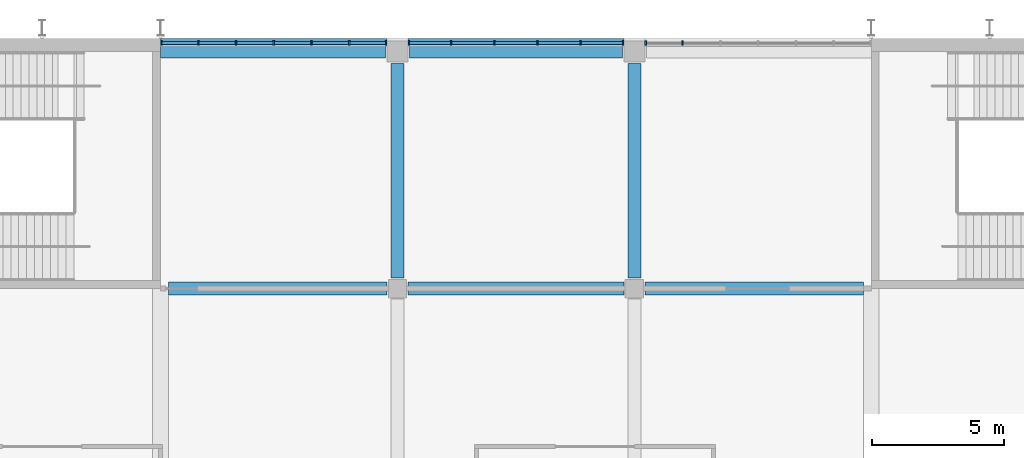
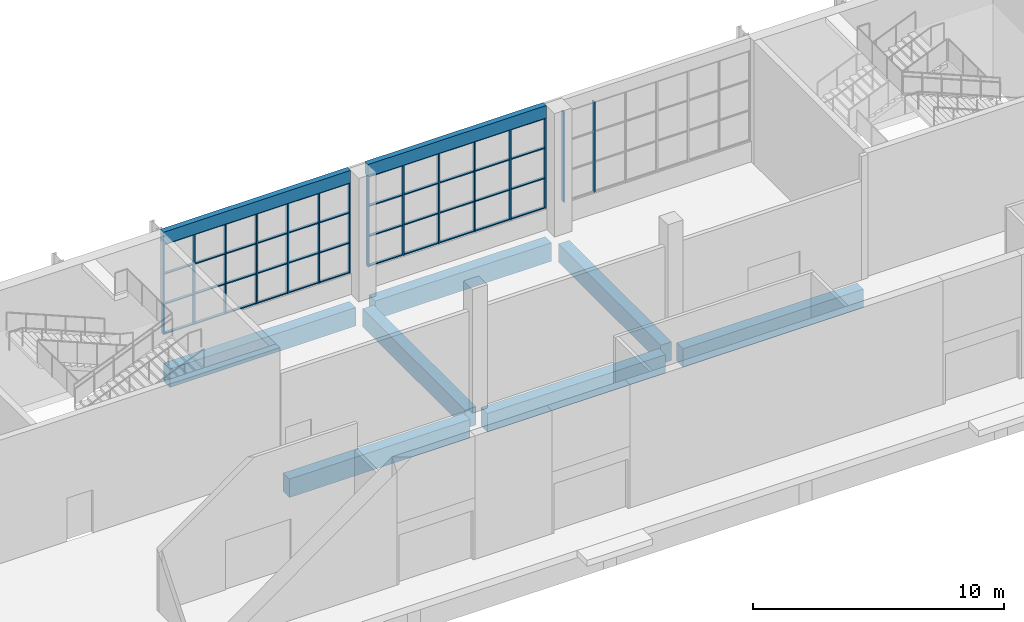
# One storey, part 25 of 89: 59 members, 9 beams, 3 elements without a shape of their own.
"""IFC4 building model written with IfcOpenShell, lengths in metres."""

from ifc_helpers import new_model, si_unit, direction, frame, origin, origin_2d, place, context, subcontext, project, spatial, rectangle, extrude, material, material_profile, profile_set, type_object, element, aggregate, save


model = new_model("IFC4")

# Units and contexts
model_context = context("Model", 3, precision=1e-05, world=origin(), true_north=direction((0.0, 1.0)))
body_context = subcontext(model_context, "Body", "Model", "MODEL_VIEW")
ifc_project = project(units=[si_unit("LENGTHUNIT", "METRE"), si_unit("AREAUNIT", "SQUARE_METRE"), si_unit("VOLUMEUNIT", "CUBIC_METRE"), si_unit("PLANEANGLEUNIT", "RADIAN"), si_unit("MASSUNIT", "GRAM", prefix="KILO")], contexts=[model_context])

# Site, building, storey
site_placement = place(None, origin())
site = spatial("IfcSite", under=ifc_project, at=site_placement, CompositionType="ELEMENT")
building_placement = place(site_placement, origin())
building = spatial("IfcBuilding", under=site, at=building_placement, Name="Silverbay Arena", CompositionType="ELEMENT")
storey_placement = place(building_placement, frame((0.0, 0.0, 22.0)))
storey = spatial("IfcBuildingStorey", under=building, at=storey_placement, Name="L03", CompositionType="ELEMENT", Elevation=22.0)

# Curtain wall, members
ifc_material_1 = material(Name="Aluminium framed curtain wall", Category="aluminium")
curtain_wall_type_1 = type_object("IfcCurtainWallType", Name="Curtain wall 8600 x 4400", PredefinedType="NOTDEFINED", material=ifc_material_1)
curtain_wall_1_placement = place(storey_placement, origin())
curtain_wall_1 = element("IfcCurtainWall", 1, at=curtain_wall_1_placement, inside=storey, type_object=curtain_wall_type_1, Name="North curtain wall L03 bay 8", PredefinedType="NOTDEFINED")
ifc_material_2 = material(Name="Aluminium", Category="aluminium")
ifc_material_profile_1 = material_profile(ifc_material_2, rectangle(XDim=0.159912109375, YDim=0.06005859375, at=origin_2d()), Name="Mullion 60 x 160")
ifc_profile_set_1 = profile_set([ifc_material_profile_1], Name="Aluminium")
member_type_1 = type_object("IfcMemberType", Name="Mullion 60 x 160", PredefinedType="MULLION", material=ifc_profile_set_1)
member_1_placement = place(storey_placement, frame((125.570068359375, 144.330078125, 1.0), z_axis=(0.0, 0.0, 1.0), x_axis=(0.0, -1.0, 0.0)))
member_1 = element("IfcMember", 2, at=member_1_placement, type_object=member_type_1, Name="CW12 mullion 1", PredefinedType="MULLION", context=body_context, shape_type="SweptSolid", body=[
    extrude(rectangle(XDim=0.159912109375, YDim=0.06005859375, at=origin_2d()), origin(), (0.0, 0.0, 1.0), 4.39990234375),
])
member_2_placement = place(storey_placement, frame((124.166748046875, 144.330078125, 1.0), z_axis=(0.0, 0.0, 1.0), x_axis=(0.0, -1.0, 0.0)))
member_2 = element("IfcMember", 3, at=member_2_placement, type_object=member_type_1, Name="CW12 mullion 2", PredefinedType="MULLION", context=body_context, shape_type="SweptSolid", body=[
    extrude(rectangle(XDim=0.159912109375, YDim=0.06005859375, at=origin_2d()), origin(), (0.0, 0.0, 1.0), 4.39990234375),
])
member_3_placement = place(storey_placement, frame((122.7333984375, 144.330078125, 1.0), z_axis=(0.0, 0.0, 1.0), x_axis=(0.0, -1.0, 0.0)))
member_3 = element("IfcMember", 4, at=member_3_placement, type_object=member_type_1, Name="CW12 mullion 3", PredefinedType="MULLION", context=body_context, shape_type="SweptSolid", body=[
    extrude(rectangle(XDim=0.159912109375, YDim=0.06005859375, at=origin_2d()), origin(), (0.0, 0.0, 1.0), 4.39990234375),
])
member_4_placement = place(storey_placement, frame((121.300048828125, 144.330078125, 1.0), z_axis=(0.0, 0.0, 1.0), x_axis=(0.0, -1.0, 0.0)))
member_4 = element("IfcMember", 5, at=member_4_placement, type_object=member_type_1, Name="CW12 mullion 4", PredefinedType="MULLION", context=body_context, shape_type="SweptSolid", body=[
    extrude(rectangle(XDim=0.159912109375, YDim=0.06005859375, at=origin_2d()), origin(), (0.0, 0.0, 1.0), 4.39990234375),
])
member_5_placement = place(storey_placement, frame((119.86669921875, 144.330078125, 1.0), z_axis=(0.0, 0.0, 1.0), x_axis=(0.0, -1.0, 0.0)))
member_5 = element("IfcMember", 6, at=member_5_placement, type_object=member_type_1, Name="CW12 mullion 5", PredefinedType="MULLION", context=body_context, shape_type="SweptSolid", body=[
    extrude(rectangle(XDim=0.159912109375, YDim=0.06005859375, at=origin_2d()), origin(), (0.0, 0.0, 1.0), 4.39990234375),
])
member_6_placement = place(storey_placement, frame((118.433349609375, 144.330078125, 1.0), z_axis=(0.0, 0.0, 1.0), x_axis=(0.0, -1.0, 0.0)))
member_6 = element("IfcMember", 7, at=member_6_placement, type_object=member_type_1, Name="CW12 mullion 6", PredefinedType="MULLION", context=body_context, shape_type="SweptSolid", body=[
    extrude(rectangle(XDim=0.159912109375, YDim=0.06005859375, at=origin_2d()), origin(), (0.0, 0.0, 1.0), 4.39990234375),
])
member_7_placement = place(storey_placement, frame((117.030029296875, 144.330078125, 1.0), z_axis=(0.0, 0.0, 1.0), x_axis=(0.0, -1.0, 0.0)))
member_7 = element("IfcMember", 8, at=member_7_placement, type_object=member_type_1, Name="CW12 mullion 7", PredefinedType="MULLION", context=body_context, shape_type="SweptSolid", body=[
    extrude(rectangle(XDim=0.159912109375, YDim=0.06005859375, at=origin_2d()), origin(), (0.0, 0.0, 1.0), 4.39990234375),
])

ifc_material_3 = material(Name="Aluminium framed curtain wall", Category="aluminium")
curtain_wall_type_2 = type_object("IfcCurtainWallType", Name="Curtain wall 8200 x 4400", PredefinedType="NOTDEFINED", material=ifc_material_3)
curtain_wall_2_placement = place(storey_placement, origin())
curtain_wall_2 = element("IfcCurtainWall", 9, at=curtain_wall_2_placement, inside=storey, type_object=curtain_wall_type_2, Name="North curtain wall L03 bay 9", PredefinedType="NOTDEFINED")
member_8_placement = place(storey_placement, frame((134.570068359375, 144.330078125, 1.0), z_axis=(0.0, 0.0, 1.0), x_axis=(0.0, -1.0, 0.0)))
member_8 = element("IfcMember", 10, at=member_8_placement, type_object=member_type_1, Name="CW13 mullion 1", PredefinedType="MULLION", context=body_context, shape_type="SweptSolid", body=[
    extrude(rectangle(XDim=0.159912109375, YDim=0.06005859375, at=origin_2d()), origin(), (0.0, 0.0, 1.0), 4.39990234375),
])
member_9_placement = place(storey_placement, frame((132.9599609375, 144.330078125, 1.0), z_axis=(0.0, 0.0, 1.0), x_axis=(0.0, -1.0, 0.0)))
member_9 = element("IfcMember", 11, at=member_9_placement, type_object=member_type_1, Name="CW13 mullion 2", PredefinedType="MULLION", context=body_context, shape_type="SweptSolid", body=[
    extrude(rectangle(XDim=0.159912109375, YDim=0.06005859375, at=origin_2d()), origin(), (0.0, 0.0, 1.0), 4.39990234375),
])
member_10_placement = place(storey_placement, frame((131.320068359375, 144.330078125, 1.0), z_axis=(0.0, 0.0, 1.0), x_axis=(0.0, -1.0, 0.0)))
member_10 = element("IfcMember", 12, at=member_10_placement, type_object=member_type_1, Name="CW13 mullion 3", PredefinedType="MULLION", context=body_context, shape_type="SweptSolid", body=[
    extrude(rectangle(XDim=0.159912109375, YDim=0.06005859375, at=origin_2d()), origin(), (0.0, 0.0, 1.0), 4.39990234375),
])
member_11_placement = place(storey_placement, frame((129.679931640625, 144.330078125, 1.0), z_axis=(0.0, 0.0, 1.0), x_axis=(0.0, -1.0, 0.0)))
member_11 = element("IfcMember", 13, at=member_11_placement, type_object=member_type_1, Name="CW13 mullion 4", PredefinedType="MULLION", context=body_context, shape_type="SweptSolid", body=[
    extrude(rectangle(XDim=0.159912109375, YDim=0.06005859375, at=origin_2d()), origin(), (0.0, 0.0, 1.0), 4.39990234375),
])
member_12_placement = place(storey_placement, frame((128.0400390625, 144.330078125, 1.0), z_axis=(0.0, 0.0, 1.0), x_axis=(0.0, -1.0, 0.0)))
member_12 = element("IfcMember", 14, at=member_12_placement, type_object=member_type_1, Name="CW13 mullion 5", PredefinedType="MULLION", context=body_context, shape_type="SweptSolid", body=[
    extrude(rectangle(XDim=0.159912109375, YDim=0.06005859375, at=origin_2d()), origin(), (0.0, 0.0, 1.0), 4.39990234375),
])
member_13_placement = place(storey_placement, frame((126.429931640625, 144.330078125, 1.0), z_axis=(0.0, 0.0, 1.0), x_axis=(0.0, -1.0, 0.0)))
member_13 = element("IfcMember", 15, at=member_13_placement, type_object=member_type_1, Name="CW13 mullion 6", PredefinedType="MULLION", context=body_context, shape_type="SweptSolid", body=[
    extrude(rectangle(XDim=0.159912109375, YDim=0.06005859375, at=origin_2d()), origin(), (0.0, 0.0, 1.0), 4.39990234375),
])

curtain_wall_3_placement = place(storey_placement, origin())
curtain_wall_3 = element("IfcCurtainWall", 16, at=curtain_wall_3_placement, inside=storey, type_object=curtain_wall_type_1, Name="North curtain wall L03 bay 10", PredefinedType="NOTDEFINED")
member_14_placement = place(storey_placement, frame((136.833251953125, 144.330078125, 1.0), z_axis=(0.0, 0.0, 1.0), x_axis=(0.0, -1.0, 0.0)))
member_14 = element("IfcMember", 17, at=member_14_placement, type_object=member_type_1, Name="CW12 mullion 6", PredefinedType="MULLION", context=body_context, shape_type="SweptSolid", body=[
    extrude(rectangle(XDim=0.159912109375, YDim=0.06005859375, at=origin_2d()), origin(), (0.0, 0.0, 1.0), 4.39990234375),
])
member_15_placement = place(storey_placement, frame((135.429931640625, 144.330078125, 1.0), z_axis=(0.0, 0.0, 1.0), x_axis=(0.0, -1.0, 0.0)))
member_15 = element("IfcMember", 18, at=member_15_placement, type_object=member_type_1, Name="CW12 mullion 7", PredefinedType="MULLION", context=body_context, shape_type="SweptSolid", body=[
    extrude(rectangle(XDim=0.159912109375, YDim=0.06005859375, at=origin_2d()), origin(), (0.0, 0.0, 1.0), 4.39990234375),
])
aggregate(curtain_wall_3, [member_14, member_15])

# Beams
ifc_material_4 = material(Name="Concrete Grade C45", Category="concrete")
ifc_material_profile_2 = material_profile(ifc_material_4, rectangle(XDim=0.5, YDim=0.89990234375, at=origin_2d()), Name="RC 500x900")
ifc_profile_set_2 = profile_set([ifc_material_profile_2], Name="Concrete Grade C45")
beam_type_1 = type_object("IfcBeamType", Name="RC beam 500x900", PredefinedType="BEAM", material=ifc_profile_set_2)
beam_1_placement = place(storey_placement, frame((117.300048828125, 135.0, -0.800048828125), z_axis=(1.0, 0.0, 0.0), x_axis=(0.0, 1.0, 0.0)))
element("IfcBeam", 19, at=beam_1_placement, inside=storey, type_object=beam_type_1, Name="Floor beam L03 074", PredefinedType="BEAM", context=body_context, shape_type="SweptSolid", body=[
    extrude(rectangle(XDim=0.5, YDim=0.89990234375, at=origin_2d()), origin(), (0.0, 0.0, 1.0), 8.300048828125),
])
beam_2_placement = place(storey_placement, frame((126.39990234375, 135.0, -0.800048828125), z_axis=(1.0, 0.0, 0.0), x_axis=(0.0, 1.0, 0.0)))
element("IfcBeam", 20, at=beam_2_placement, inside=storey, type_object=beam_type_1, Name="Floor beam L03 075", PredefinedType="BEAM", context=body_context, shape_type="SweptSolid", body=[
    extrude(rectangle(XDim=0.5, YDim=0.89990234375, at=origin_2d()), origin(), (0.0, 0.0, 1.0), 8.2001953125),
])
beam_3_placement = place(storey_placement, frame((135.39990234375, 135.0, -0.800048828125), z_axis=(1.0, 0.0, 0.0), x_axis=(0.0, 1.0, 0.0)))
element("IfcBeam", 21, at=beam_3_placement, inside=storey, type_object=beam_type_1, Name="Floor beam L03 076", PredefinedType="BEAM", context=body_context, shape_type="SweptSolid", body=[
    extrude(rectangle(XDim=0.5, YDim=0.89990234375, at=origin_2d()), origin(), (0.0, 0.0, 1.0), 8.300048828125),
])
beam_4_placement = place(storey_placement, frame((117.0, 144.0, -0.800048828125), z_axis=(1.0, 0.0, 0.0), x_axis=(0.0, 1.0, 0.0)))
element("IfcBeam", 22, at=beam_4_placement, inside=storey, type_object=beam_type_1, Name="Floor beam L03 079", PredefinedType="BEAM", context=body_context, shape_type="SweptSolid", body=[
    extrude(rectangle(XDim=0.5, YDim=0.89990234375, at=origin_2d()), origin(), (0.0, 0.0, 1.0), 8.550048828125),
])
beam_5_placement = place(storey_placement, frame((126.449951171875, 144.0, -0.800048828125), z_axis=(1.0, 0.0, 0.0), x_axis=(0.0, 1.0, 0.0)))
element("IfcBeam", 23, at=beam_5_placement, inside=storey, type_object=beam_type_1, Name="Floor beam L03 080", PredefinedType="BEAM", context=body_context, shape_type="SweptSolid", body=[
    extrude(rectangle(XDim=0.5, YDim=0.89990234375, at=origin_2d()), origin(), (0.0, 0.0, 1.0), 8.10009765625),
])
for number, where, z_axis, x_axis, name in (
    (24, (126.0, 135.39990234375, -0.800048828125), (0.0, 1.0, 0.0), (-1.0, 0.0, 0.0), "Floor beam L03 130"),
    (25, (135.0, 135.39990234375, -0.800048828125), (0.0, 1.0, 0.0), (-1.0, 0.0, 0.0), "Floor beam L03 136"),
):
    element("IfcBeam", number, at=place(storey_placement, frame(where, z_axis=z_axis, x_axis=x_axis)), inside=storey, type_object=beam_type_1, Name=name, PredefinedType="BEAM", context=body_context, shape_type="SweptSolid", body=[
        extrude(rectangle(XDim=0.5, YDim=0.89990234375, at=origin_2d()), origin(), (0.0, 0.0, 1.0), 8.150146484375),
    ])
ifc_material_5 = material(Name="Concrete Grade C45", Category="concrete")
ifc_material_profile_3 = material_profile(ifc_material_5, rectangle(XDim=0.25, YDim=0.60009765625, at=origin_2d()), Name="RC 250x600")
ifc_profile_set_3 = profile_set([ifc_material_profile_3], Name="Concrete Grade C45")
beam_type_2 = type_object("IfcBeamType", Name="RC facade beam 250x600", PredefinedType="SPANDREL", material=ifc_profile_set_3)
beam_6_placement = place(storey_placement, frame((117.0, 144.375, 5.699951171875), z_axis=(1.0, 0.0, 0.0), x_axis=(0.0, 1.0, 0.0)))
element("IfcBeam", 26, at=beam_6_placement, inside=storey, type_object=beam_type_2, Name="Facade beam L03 north", PredefinedType="SPANDREL", context=body_context, shape_type="SweptSolid", body=[
    extrude(rectangle(XDim=0.25, YDim=0.60009765625, at=origin_2d()), origin(), (0.0, 0.0, 1.0), 8.60009765625),
])
beam_7_placement = place(storey_placement, frame((126.39990234375, 144.375, 5.699951171875), z_axis=(1.0, 0.0, 0.0), x_axis=(0.0, 1.0, 0.0)))
element("IfcBeam", 27, at=beam_7_placement, inside=storey, type_object=beam_type_2, Name="Facade beam L03 north", PredefinedType="SPANDREL", context=body_context, shape_type="SweptSolid", body=[
    extrude(rectangle(XDim=0.25, YDim=0.60009765625, at=origin_2d()), origin(), (0.0, 0.0, 1.0), 8.2001953125),
])

# Member
ifc_material_6 = material(Name="Aluminium", Category="aluminium")
ifc_material_profile_4 = material_profile(ifc_material_6, rectangle(XDim=0.1201171875, YDim=0.050048828125, at=origin_2d()), Name="Transom 50 x 120")
ifc_profile_set_4 = profile_set([ifc_material_profile_4], Name="Aluminium")
member_type_2 = type_object("IfcMemberType", Name="Transom 50 x 120", PredefinedType="USERDEFINED", material=ifc_profile_set_4)
member_16_placement = place(storey_placement, frame((125.5400390625, 144.330078125, 1.02490234375), z_axis=(-1.0, 0.0, 0.0), x_axis=(0.0, -1.0, 0.0)))
member_16 = element("IfcMember", 28, at=member_16_placement, type_object=member_type_2, Name="CW12 transom 1.1", ObjectType="TRANSOM", PredefinedType="USERDEFINED", context=body_context, shape_type="SweptSolid", body=[
    extrude(rectangle(XDim=0.1201171875, YDim=0.050048828125, at=origin_2d()), origin(), (0.0, 0.0, 1.0), 1.34326171875),
])

member_17_placement = place(storey_placement, frame((125.5400390625, 144.330078125, 2.466552734375), z_axis=(-1.0, 0.0, 0.0), x_axis=(0.0, -1.0, 0.0)))
member_17 = element("IfcMember", 29, at=member_17_placement, type_object=member_type_2, Name="CW12 transom 1.2", ObjectType="TRANSOM", PredefinedType="USERDEFINED", context=body_context, shape_type="SweptSolid", body=[
    extrude(rectangle(XDim=0.1201171875, YDim=0.050048828125, at=origin_2d()), origin(), (0.0, 0.0, 1.0), 1.34326171875),
])

member_18_placement = place(storey_placement, frame((125.5400390625, 144.330078125, 3.933349609375), z_axis=(-1.0, 0.0, 0.0), x_axis=(0.0, -1.0, 0.0)))
member_18 = element("IfcMember", 30, at=member_18_placement, type_object=member_type_2, Name="CW12 transom 1.3", ObjectType="TRANSOM", PredefinedType="USERDEFINED", context=body_context, shape_type="SweptSolid", body=[
    extrude(rectangle(XDim=0.1201171875, YDim=0.050048828125, at=origin_2d()), origin(), (0.0, 0.0, 1.0), 1.34326171875),
])

member_19_placement = place(storey_placement, frame((125.5400390625, 144.330078125, 5.375), z_axis=(-1.0, 0.0, 0.0), x_axis=(0.0, -1.0, 0.0)))
member_19 = element("IfcMember", 31, at=member_19_placement, type_object=member_type_2, Name="CW12 transom 1.4", ObjectType="TRANSOM", PredefinedType="USERDEFINED", context=body_context, shape_type="SweptSolid", body=[
    extrude(rectangle(XDim=0.1201171875, YDim=0.050048828125, at=origin_2d()), origin(), (0.0, 0.0, 1.0), 1.34326171875),
])

member_20_placement = place(storey_placement, frame((124.13671875, 144.330078125, 1.02490234375), z_axis=(-1.0, 0.0, 0.0), x_axis=(0.0, -1.0, 0.0)))
member_20 = element("IfcMember", 32, at=member_20_placement, type_object=member_type_2, Name="CW12 transom 2.1", ObjectType="TRANSOM", PredefinedType="USERDEFINED", context=body_context, shape_type="SweptSolid", body=[
    extrude(rectangle(XDim=0.1201171875, YDim=0.050048828125, at=origin_2d()), origin(), (0.0, 0.0, 1.0), 1.373291015625),
])

member_21_placement = place(storey_placement, frame((124.13671875, 144.330078125, 2.466552734375), z_axis=(-1.0, 0.0, 0.0), x_axis=(0.0, -1.0, 0.0)))
member_21 = element("IfcMember", 33, at=member_21_placement, type_object=member_type_2, Name="CW12 transom 2.2", ObjectType="TRANSOM", PredefinedType="USERDEFINED", context=body_context, shape_type="SweptSolid", body=[
    extrude(rectangle(XDim=0.1201171875, YDim=0.050048828125, at=origin_2d()), origin(), (0.0, 0.0, 1.0), 1.373291015625),
])

member_22_placement = place(storey_placement, frame((124.13671875, 144.330078125, 3.933349609375), z_axis=(-1.0, 0.0, 0.0), x_axis=(0.0, -1.0, 0.0)))
member_22 = element("IfcMember", 34, at=member_22_placement, type_object=member_type_2, Name="CW12 transom 2.3", ObjectType="TRANSOM", PredefinedType="USERDEFINED", context=body_context, shape_type="SweptSolid", body=[
    extrude(rectangle(XDim=0.1201171875, YDim=0.050048828125, at=origin_2d()), origin(), (0.0, 0.0, 1.0), 1.373291015625),
])

member_23_placement = place(storey_placement, frame((124.13671875, 144.330078125, 5.375), z_axis=(-1.0, 0.0, 0.0), x_axis=(0.0, -1.0, 0.0)))
member_23 = element("IfcMember", 35, at=member_23_placement, type_object=member_type_2, Name="CW12 transom 2.4", ObjectType="TRANSOM", PredefinedType="USERDEFINED", context=body_context, shape_type="SweptSolid", body=[
    extrude(rectangle(XDim=0.1201171875, YDim=0.050048828125, at=origin_2d()), origin(), (0.0, 0.0, 1.0), 1.373291015625),
])

member_24_placement = place(storey_placement, frame((122.703369140625, 144.330078125, 1.02490234375), z_axis=(-1.0, 0.0, 0.0), x_axis=(0.0, -1.0, 0.0)))
member_24 = element("IfcMember", 36, at=member_24_placement, type_object=member_type_2, Name="CW12 transom 3.1", ObjectType="TRANSOM", PredefinedType="USERDEFINED", context=body_context, shape_type="SweptSolid", body=[
    extrude(rectangle(XDim=0.1201171875, YDim=0.050048828125, at=origin_2d()), origin(), (0.0, 0.0, 1.0), 1.373291015625),
])

member_25_placement = place(storey_placement, frame((122.703369140625, 144.330078125, 2.466552734375), z_axis=(-1.0, 0.0, 0.0), x_axis=(0.0, -1.0, 0.0)))
member_25 = element("IfcMember", 37, at=member_25_placement, type_object=member_type_2, Name="CW12 transom 3.2", ObjectType="TRANSOM", PredefinedType="USERDEFINED", context=body_context, shape_type="SweptSolid", body=[
    extrude(rectangle(XDim=0.1201171875, YDim=0.050048828125, at=origin_2d()), origin(), (0.0, 0.0, 1.0), 1.373291015625),
])

member_26_placement = place(storey_placement, frame((122.703369140625, 144.330078125, 3.933349609375), z_axis=(-1.0, 0.0, 0.0), x_axis=(0.0, -1.0, 0.0)))
member_26 = element("IfcMember", 38, at=member_26_placement, type_object=member_type_2, Name="CW12 transom 3.3", ObjectType="TRANSOM", PredefinedType="USERDEFINED", context=body_context, shape_type="SweptSolid", body=[
    extrude(rectangle(XDim=0.1201171875, YDim=0.050048828125, at=origin_2d()), origin(), (0.0, 0.0, 1.0), 1.373291015625),
])

member_27_placement = place(storey_placement, frame((122.703369140625, 144.330078125, 5.375), z_axis=(-1.0, 0.0, 0.0), x_axis=(0.0, -1.0, 0.0)))
member_27 = element("IfcMember", 39, at=member_27_placement, type_object=member_type_2, Name="CW12 transom 3.4", ObjectType="TRANSOM", PredefinedType="USERDEFINED", context=body_context, shape_type="SweptSolid", body=[
    extrude(rectangle(XDim=0.1201171875, YDim=0.050048828125, at=origin_2d()), origin(), (0.0, 0.0, 1.0), 1.373291015625),
])

member_28_placement = place(storey_placement, frame((121.27001953125, 144.330078125, 1.02490234375), z_axis=(-1.0, 0.0, 0.0), x_axis=(0.0, -1.0, 0.0)))
member_28 = element("IfcMember", 40, at=member_28_placement, type_object=member_type_2, Name="CW12 transom 4.1", ObjectType="TRANSOM", PredefinedType="USERDEFINED", context=body_context, shape_type="SweptSolid", body=[
    extrude(rectangle(XDim=0.1201171875, YDim=0.050048828125, at=origin_2d()), origin(), (0.0, 0.0, 1.0), 1.373291015625),
])

member_29_placement = place(storey_placement, frame((121.27001953125, 144.330078125, 2.466552734375), z_axis=(-1.0, 0.0, 0.0), x_axis=(0.0, -1.0, 0.0)))
member_29 = element("IfcMember", 41, at=member_29_placement, type_object=member_type_2, Name="CW12 transom 4.2", ObjectType="TRANSOM", PredefinedType="USERDEFINED", context=body_context, shape_type="SweptSolid", body=[
    extrude(rectangle(XDim=0.1201171875, YDim=0.050048828125, at=origin_2d()), origin(), (0.0, 0.0, 1.0), 1.373291015625),
])

member_30_placement = place(storey_placement, frame((121.27001953125, 144.330078125, 3.933349609375), z_axis=(-1.0, 0.0, 0.0), x_axis=(0.0, -1.0, 0.0)))
member_30 = element("IfcMember", 42, at=member_30_placement, type_object=member_type_2, Name="CW12 transom 4.3", ObjectType="TRANSOM", PredefinedType="USERDEFINED", context=body_context, shape_type="SweptSolid", body=[
    extrude(rectangle(XDim=0.1201171875, YDim=0.050048828125, at=origin_2d()), origin(), (0.0, 0.0, 1.0), 1.373291015625),
])

member_31_placement = place(storey_placement, frame((121.27001953125, 144.330078125, 5.375), z_axis=(-1.0, 0.0, 0.0), x_axis=(0.0, -1.0, 0.0)))
member_31 = element("IfcMember", 43, at=member_31_placement, type_object=member_type_2, Name="CW12 transom 4.4", ObjectType="TRANSOM", PredefinedType="USERDEFINED", context=body_context, shape_type="SweptSolid", body=[
    extrude(rectangle(XDim=0.1201171875, YDim=0.050048828125, at=origin_2d()), origin(), (0.0, 0.0, 1.0), 1.373291015625),
])

member_32_placement = place(storey_placement, frame((119.836669921875, 144.330078125, 1.02490234375), z_axis=(-1.0, 0.0, 0.0), x_axis=(0.0, -1.0, 0.0)))
member_32 = element("IfcMember", 44, at=member_32_placement, type_object=member_type_2, Name="CW12 transom 5.1", ObjectType="TRANSOM", PredefinedType="USERDEFINED", context=body_context, shape_type="SweptSolid", body=[
    extrude(rectangle(XDim=0.1201171875, YDim=0.050048828125, at=origin_2d()), origin(), (0.0, 0.0, 1.0), 1.373291015625),
])

member_33_placement = place(storey_placement, frame((119.836669921875, 144.330078125, 2.466552734375), z_axis=(-1.0, 0.0, 0.0), x_axis=(0.0, -1.0, 0.0)))
member_33 = element("IfcMember", 45, at=member_33_placement, type_object=member_type_2, Name="CW12 transom 5.2", ObjectType="TRANSOM", PredefinedType="USERDEFINED", context=body_context, shape_type="SweptSolid", body=[
    extrude(rectangle(XDim=0.1201171875, YDim=0.050048828125, at=origin_2d()), origin(), (0.0, 0.0, 1.0), 1.373291015625),
])

member_34_placement = place(storey_placement, frame((119.836669921875, 144.330078125, 3.933349609375), z_axis=(-1.0, 0.0, 0.0), x_axis=(0.0, -1.0, 0.0)))
member_34 = element("IfcMember", 46, at=member_34_placement, type_object=member_type_2, Name="CW12 transom 5.3", ObjectType="TRANSOM", PredefinedType="USERDEFINED", context=body_context, shape_type="SweptSolid", body=[
    extrude(rectangle(XDim=0.1201171875, YDim=0.050048828125, at=origin_2d()), origin(), (0.0, 0.0, 1.0), 1.373291015625),
])

member_35_placement = place(storey_placement, frame((119.836669921875, 144.330078125, 5.375), z_axis=(-1.0, 0.0, 0.0), x_axis=(0.0, -1.0, 0.0)))
member_35 = element("IfcMember", 47, at=member_35_placement, type_object=member_type_2, Name="CW12 transom 5.4", ObjectType="TRANSOM", PredefinedType="USERDEFINED", context=body_context, shape_type="SweptSolid", body=[
    extrude(rectangle(XDim=0.1201171875, YDim=0.050048828125, at=origin_2d()), origin(), (0.0, 0.0, 1.0), 1.373291015625),
])

member_36_placement = place(storey_placement, frame((118.4033203125, 144.330078125, 1.02490234375), z_axis=(-1.0, 0.0, 0.0), x_axis=(0.0, -1.0, 0.0)))
member_36 = element("IfcMember", 48, at=member_36_placement, type_object=member_type_2, Name="CW12 transom 6.1", ObjectType="TRANSOM", PredefinedType="USERDEFINED", context=body_context, shape_type="SweptSolid", body=[
    extrude(rectangle(XDim=0.1201171875, YDim=0.050048828125, at=origin_2d()), origin(), (0.0, 0.0, 1.0), 1.34326171875),
])

member_37_placement = place(storey_placement, frame((118.4033203125, 144.330078125, 2.466552734375), z_axis=(-1.0, 0.0, 0.0), x_axis=(0.0, -1.0, 0.0)))
member_37 = element("IfcMember", 49, at=member_37_placement, type_object=member_type_2, Name="CW12 transom 6.2", ObjectType="TRANSOM", PredefinedType="USERDEFINED", context=body_context, shape_type="SweptSolid", body=[
    extrude(rectangle(XDim=0.1201171875, YDim=0.050048828125, at=origin_2d()), origin(), (0.0, 0.0, 1.0), 1.34326171875),
])

member_38_placement = place(storey_placement, frame((118.4033203125, 144.330078125, 3.933349609375), z_axis=(-1.0, 0.0, 0.0), x_axis=(0.0, -1.0, 0.0)))
member_38 = element("IfcMember", 50, at=member_38_placement, type_object=member_type_2, Name="CW12 transom 6.3", ObjectType="TRANSOM", PredefinedType="USERDEFINED", context=body_context, shape_type="SweptSolid", body=[
    extrude(rectangle(XDim=0.1201171875, YDim=0.050048828125, at=origin_2d()), origin(), (0.0, 0.0, 1.0), 1.34326171875),
])

member_39_placement = place(storey_placement, frame((118.4033203125, 144.330078125, 5.375), z_axis=(-1.0, 0.0, 0.0), x_axis=(0.0, -1.0, 0.0)))
member_39 = element("IfcMember", 51, at=member_39_placement, type_object=member_type_2, Name="CW12 transom 6.4", ObjectType="TRANSOM", PredefinedType="USERDEFINED", context=body_context, shape_type="SweptSolid", body=[
    extrude(rectangle(XDim=0.1201171875, YDim=0.050048828125, at=origin_2d()), origin(), (0.0, 0.0, 1.0), 1.34326171875),
])

aggregate(curtain_wall_1, [member_1, member_2, member_3, member_4, member_5, member_6, member_7, member_16, member_17, member_18, member_19, member_20, member_21, member_22, member_23, member_24, member_25, member_26, member_27, member_28, member_29, member_30, member_31, member_32, member_33, member_34, member_35, member_36, member_37, member_38, member_39])

member_40_placement = place(storey_placement, frame((134.5400390625, 144.330078125, 1.02490234375), z_axis=(-1.0, 0.0, 0.0), x_axis=(0.0, -1.0, 0.0)))
member_40 = element("IfcMember", 52, at=member_40_placement, type_object=member_type_2, Name="CW13 transom 1.1", ObjectType="TRANSOM", PredefinedType="USERDEFINED", context=body_context, shape_type="SweptSolid", body=[
    extrude(rectangle(XDim=0.1201171875, YDim=0.050048828125, at=origin_2d()), origin(), (0.0, 0.0, 1.0), 1.550048828125),
])

member_41_placement = place(storey_placement, frame((134.5400390625, 144.330078125, 2.466552734375), z_axis=(-1.0, 0.0, 0.0), x_axis=(0.0, -1.0, 0.0)))
member_41 = element("IfcMember", 53, at=member_41_placement, type_object=member_type_2, Name="CW13 transom 1.2", ObjectType="TRANSOM", PredefinedType="USERDEFINED", context=body_context, shape_type="SweptSolid", body=[
    extrude(rectangle(XDim=0.1201171875, YDim=0.050048828125, at=origin_2d()), origin(), (0.0, 0.0, 1.0), 1.550048828125),
])

member_42_placement = place(storey_placement, frame((134.5400390625, 144.330078125, 3.933349609375), z_axis=(-1.0, 0.0, 0.0), x_axis=(0.0, -1.0, 0.0)))
member_42 = element("IfcMember", 54, at=member_42_placement, type_object=member_type_2, Name="CW13 transom 1.3", ObjectType="TRANSOM", PredefinedType="USERDEFINED", context=body_context, shape_type="SweptSolid", body=[
    extrude(rectangle(XDim=0.1201171875, YDim=0.050048828125, at=origin_2d()), origin(), (0.0, 0.0, 1.0), 1.550048828125),
])

member_43_placement = place(storey_placement, frame((134.5400390625, 144.330078125, 5.375), z_axis=(-1.0, 0.0, 0.0), x_axis=(0.0, -1.0, 0.0)))
member_43 = element("IfcMember", 55, at=member_43_placement, type_object=member_type_2, Name="CW13 transom 1.4", ObjectType="TRANSOM", PredefinedType="USERDEFINED", context=body_context, shape_type="SweptSolid", body=[
    extrude(rectangle(XDim=0.1201171875, YDim=0.050048828125, at=origin_2d()), origin(), (0.0, 0.0, 1.0), 1.550048828125),
])

member_44_placement = place(storey_placement, frame((132.929931640625, 144.330078125, 1.02490234375), z_axis=(-1.0, 0.0, 0.0), x_axis=(0.0, -1.0, 0.0)))
member_44 = element("IfcMember", 56, at=member_44_placement, type_object=member_type_2, Name="CW13 transom 2.1", ObjectType="TRANSOM", PredefinedType="USERDEFINED", context=body_context, shape_type="SweptSolid", body=[
    extrude(rectangle(XDim=0.1201171875, YDim=0.050048828125, at=origin_2d()), origin(), (0.0, 0.0, 1.0), 1.579833984375),
])

member_45_placement = place(storey_placement, frame((132.929931640625, 144.330078125, 2.466552734375), z_axis=(-1.0, 0.0, 0.0), x_axis=(0.0, -1.0, 0.0)))
member_45 = element("IfcMember", 57, at=member_45_placement, type_object=member_type_2, Name="CW13 transom 2.2", ObjectType="TRANSOM", PredefinedType="USERDEFINED", context=body_context, shape_type="SweptSolid", body=[
    extrude(rectangle(XDim=0.1201171875, YDim=0.050048828125, at=origin_2d()), origin(), (0.0, 0.0, 1.0), 1.579833984375),
])

member_46_placement = place(storey_placement, frame((132.929931640625, 144.330078125, 3.933349609375), z_axis=(-1.0, 0.0, 0.0), x_axis=(0.0, -1.0, 0.0)))
member_46 = element("IfcMember", 58, at=member_46_placement, type_object=member_type_2, Name="CW13 transom 2.3", ObjectType="TRANSOM", PredefinedType="USERDEFINED", context=body_context, shape_type="SweptSolid", body=[
    extrude(rectangle(XDim=0.1201171875, YDim=0.050048828125, at=origin_2d()), origin(), (0.0, 0.0, 1.0), 1.579833984375),
])

member_47_placement = place(storey_placement, frame((132.929931640625, 144.330078125, 5.375), z_axis=(-1.0, 0.0, 0.0), x_axis=(0.0, -1.0, 0.0)))
member_47 = element("IfcMember", 59, at=member_47_placement, type_object=member_type_2, Name="CW13 transom 2.4", ObjectType="TRANSOM", PredefinedType="USERDEFINED", context=body_context, shape_type="SweptSolid", body=[
    extrude(rectangle(XDim=0.1201171875, YDim=0.050048828125, at=origin_2d()), origin(), (0.0, 0.0, 1.0), 1.579833984375),
])

member_48_placement = place(storey_placement, frame((131.2900390625, 144.330078125, 1.02490234375), z_axis=(-1.0, 0.0, 0.0), x_axis=(0.0, -1.0, 0.0)))
member_48 = element("IfcMember", 60, at=member_48_placement, type_object=member_type_2, Name="CW13 transom 3.1", ObjectType="TRANSOM", PredefinedType="USERDEFINED", context=body_context, shape_type="SweptSolid", body=[
    extrude(rectangle(XDim=0.1201171875, YDim=0.050048828125, at=origin_2d()), origin(), (0.0, 0.0, 1.0), 1.580078125),
])

member_49_placement = place(storey_placement, frame((131.2900390625, 144.330078125, 2.466552734375), z_axis=(-1.0, 0.0, 0.0), x_axis=(0.0, -1.0, 0.0)))
member_49 = element("IfcMember", 61, at=member_49_placement, type_object=member_type_2, Name="CW13 transom 3.2", ObjectType="TRANSOM", PredefinedType="USERDEFINED", context=body_context, shape_type="SweptSolid", body=[
    extrude(rectangle(XDim=0.1201171875, YDim=0.050048828125, at=origin_2d()), origin(), (0.0, 0.0, 1.0), 1.580078125),
])

member_50_placement = place(storey_placement, frame((131.2900390625, 144.330078125, 3.933349609375), z_axis=(-1.0, 0.0, 0.0), x_axis=(0.0, -1.0, 0.0)))
member_50 = element("IfcMember", 62, at=member_50_placement, type_object=member_type_2, Name="CW13 transom 3.3", ObjectType="TRANSOM", PredefinedType="USERDEFINED", context=body_context, shape_type="SweptSolid", body=[
    extrude(rectangle(XDim=0.1201171875, YDim=0.050048828125, at=origin_2d()), origin(), (0.0, 0.0, 1.0), 1.580078125),
])

member_51_placement = place(storey_placement, frame((131.2900390625, 144.330078125, 5.375), z_axis=(-1.0, 0.0, 0.0), x_axis=(0.0, -1.0, 0.0)))
member_51 = element("IfcMember", 63, at=member_51_placement, type_object=member_type_2, Name="CW13 transom 3.4", ObjectType="TRANSOM", PredefinedType="USERDEFINED", context=body_context, shape_type="SweptSolid", body=[
    extrude(rectangle(XDim=0.1201171875, YDim=0.050048828125, at=origin_2d()), origin(), (0.0, 0.0, 1.0), 1.580078125),
])

member_52_placement = place(storey_placement, frame((129.64990234375, 144.330078125, 1.02490234375), z_axis=(-1.0, 0.0, 0.0), x_axis=(0.0, -1.0, 0.0)))
member_52 = element("IfcMember", 64, at=member_52_placement, type_object=member_type_2, Name="CW13 transom 4.1", ObjectType="TRANSOM", PredefinedType="USERDEFINED", context=body_context, shape_type="SweptSolid", body=[
    extrude(rectangle(XDim=0.1201171875, YDim=0.050048828125, at=origin_2d()), origin(), (0.0, 0.0, 1.0), 1.579833984375),
])

member_53_placement = place(storey_placement, frame((129.64990234375, 144.330078125, 2.466552734375), z_axis=(-1.0, 0.0, 0.0), x_axis=(0.0, -1.0, 0.0)))
member_53 = element("IfcMember", 65, at=member_53_placement, type_object=member_type_2, Name="CW13 transom 4.2", ObjectType="TRANSOM", PredefinedType="USERDEFINED", context=body_context, shape_type="SweptSolid", body=[
    extrude(rectangle(XDim=0.1201171875, YDim=0.050048828125, at=origin_2d()), origin(), (0.0, 0.0, 1.0), 1.579833984375),
])

member_54_placement = place(storey_placement, frame((129.64990234375, 144.330078125, 3.933349609375), z_axis=(-1.0, 0.0, 0.0), x_axis=(0.0, -1.0, 0.0)))
member_54 = element("IfcMember", 66, at=member_54_placement, type_object=member_type_2, Name="CW13 transom 4.3", ObjectType="TRANSOM", PredefinedType="USERDEFINED", context=body_context, shape_type="SweptSolid", body=[
    extrude(rectangle(XDim=0.1201171875, YDim=0.050048828125, at=origin_2d()), origin(), (0.0, 0.0, 1.0), 1.579833984375),
])

member_55_placement = place(storey_placement, frame((129.64990234375, 144.330078125, 5.375), z_axis=(-1.0, 0.0, 0.0), x_axis=(0.0, -1.0, 0.0)))
member_55 = element("IfcMember", 67, at=member_55_placement, type_object=member_type_2, Name="CW13 transom 4.4", ObjectType="TRANSOM", PredefinedType="USERDEFINED", context=body_context, shape_type="SweptSolid", body=[
    extrude(rectangle(XDim=0.1201171875, YDim=0.050048828125, at=origin_2d()), origin(), (0.0, 0.0, 1.0), 1.579833984375),
])

member_56_placement = place(storey_placement, frame((128.010009765625, 144.330078125, 1.02490234375), z_axis=(-1.0, 0.0, 0.0), x_axis=(0.0, -1.0, 0.0)))
member_56 = element("IfcMember", 68, at=member_56_placement, type_object=member_type_2, Name="CW13 transom 5.1", ObjectType="TRANSOM", PredefinedType="USERDEFINED", context=body_context, shape_type="SweptSolid", body=[
    extrude(rectangle(XDim=0.1201171875, YDim=0.050048828125, at=origin_2d()), origin(), (0.0, 0.0, 1.0), 1.550048828125),
])

member_57_placement = place(storey_placement, frame((128.010009765625, 144.330078125, 2.466552734375), z_axis=(-1.0, 0.0, 0.0), x_axis=(0.0, -1.0, 0.0)))
member_57 = element("IfcMember", 69, at=member_57_placement, type_object=member_type_2, Name="CW13 transom 5.2", ObjectType="TRANSOM", PredefinedType="USERDEFINED", context=body_context, shape_type="SweptSolid", body=[
    extrude(rectangle(XDim=0.1201171875, YDim=0.050048828125, at=origin_2d()), origin(), (0.0, 0.0, 1.0), 1.550048828125),
])

member_58_placement = place(storey_placement, frame((128.010009765625, 144.330078125, 3.933349609375), z_axis=(-1.0, 0.0, 0.0), x_axis=(0.0, -1.0, 0.0)))
member_58 = element("IfcMember", 70, at=member_58_placement, type_object=member_type_2, Name="CW13 transom 5.3", ObjectType="TRANSOM", PredefinedType="USERDEFINED", context=body_context, shape_type="SweptSolid", body=[
    extrude(rectangle(XDim=0.1201171875, YDim=0.050048828125, at=origin_2d()), origin(), (0.0, 0.0, 1.0), 1.550048828125),
])

member_59_placement = place(storey_placement, frame((128.010009765625, 144.330078125, 5.375), z_axis=(-1.0, 0.0, 0.0), x_axis=(0.0, -1.0, 0.0)))
member_59 = element("IfcMember", 71, at=member_59_placement, type_object=member_type_2, Name="CW13 transom 5.4", ObjectType="TRANSOM", PredefinedType="USERDEFINED", context=body_context, shape_type="SweptSolid", body=[
    extrude(rectangle(XDim=0.1201171875, YDim=0.050048828125, at=origin_2d()), origin(), (0.0, 0.0, 1.0), 1.550048828125),
])

aggregate(curtain_wall_2, [member_8, member_9, member_10, member_11, member_12, member_13, member_40, member_41, member_42, member_43, member_44, member_45, member_46, member_47, member_48, member_49, member_50, member_51, member_52, member_53, member_54, member_55, member_56, member_57, member_58, member_59])

save(model, "model.ifc")
